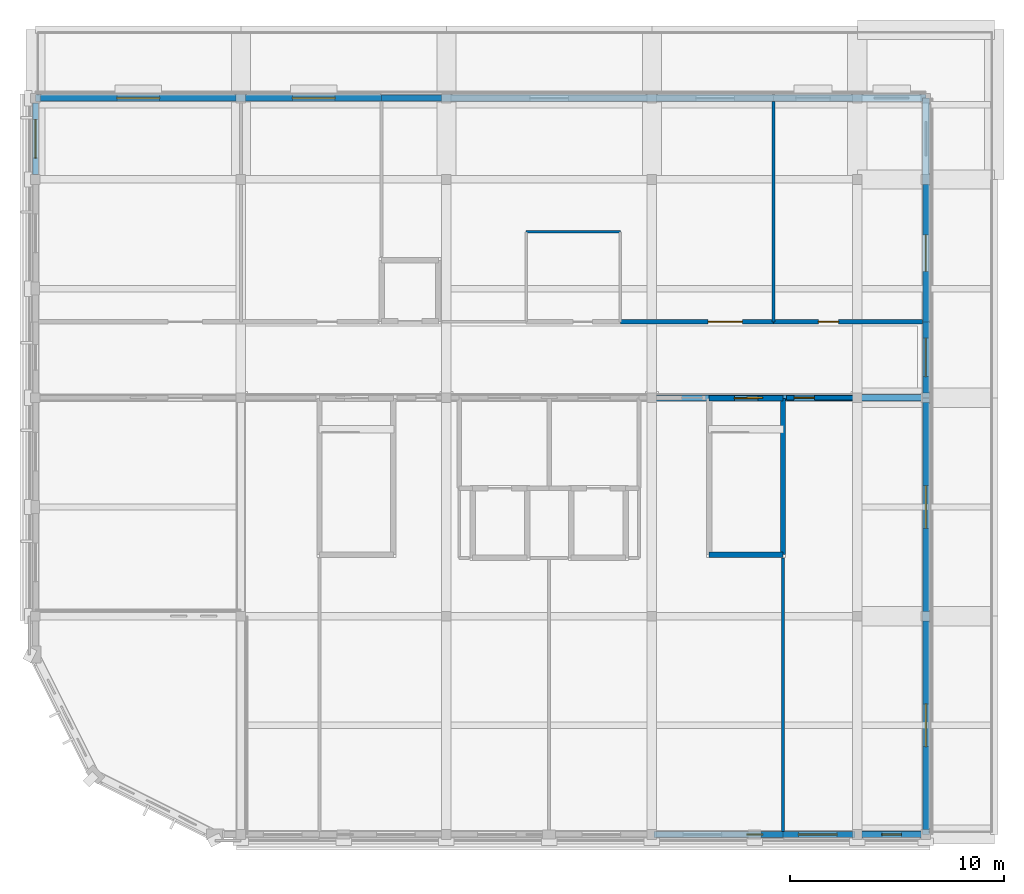
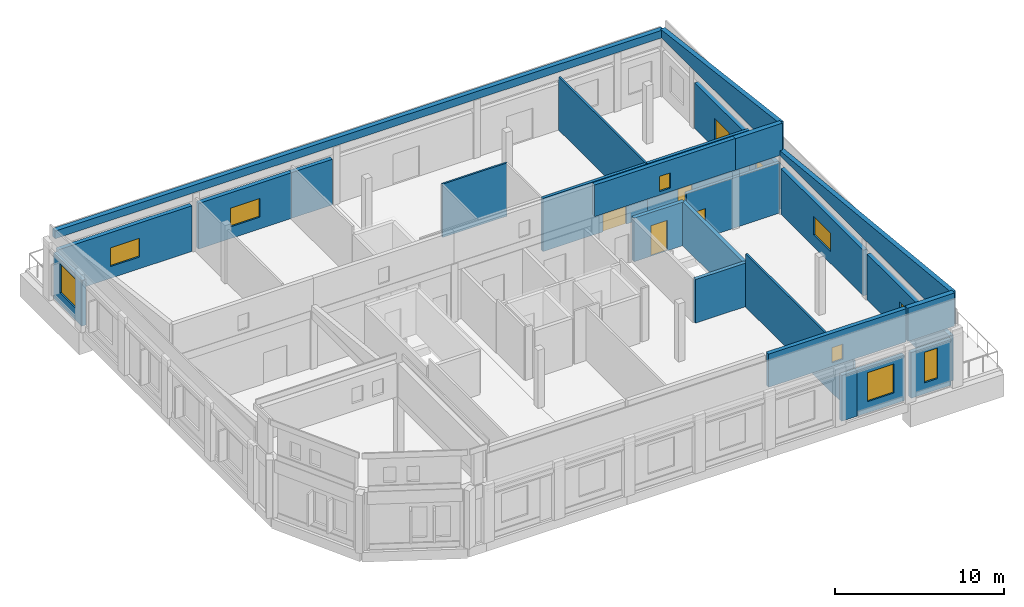
# One storey, part 5 of 8: 27 walls, 9 windows, 6 doors, 15 openings.
"""IFC4 building model written with IfcOpenShell, lengths in metres."""

from ifc_helpers import new_model, si_unit, direction, frame, frame_2d, origin, place, context, subcontext, project, spatial, polyline, rectangle, outline, extrude, material, layer, layer_set, type_object, element, fill, save


model = new_model("IFC4")

# Units and contexts
model_context = context("Model", 3, precision=1e-05, world=origin(), true_north=direction((0.0, 1.0)))
body_context = subcontext(model_context, "Body", "Model", "MODEL_VIEW")
ifc_project = project(units=[si_unit("LENGTHUNIT", "METRE"), si_unit("AREAUNIT", "SQUARE_METRE"), si_unit("VOLUMEUNIT", "CUBIC_METRE"), si_unit("PLANEANGLEUNIT", "RADIAN"), si_unit("MASSUNIT", "GRAM", prefix="KILO")], contexts=[model_context])

# Site, building, storey
site_placement = place(None, origin())
site = spatial("IfcSite", under=ifc_project, at=site_placement, CompositionType="ELEMENT")
building_placement = place(site_placement, origin())
building = spatial("IfcBuilding", under=site, at=building_placement, Name="Vondelvale Polytechnic", CompositionType="ELEMENT")
storey_placement = place(building_placement, frame((0.0, 0.0, 30.60009765625)))
storey = spatial("IfcBuildingStorey", under=building, at=storey_placement, Name="L07", CompositionType="ELEMENT", Elevation=30.60009765625)

# Wall
ifc_material_1 = material(Name="Amsterdam School iron-spot clinker clay brickwork", Category="masonry")
ifc_layer_1 = layer(ifc_material_1, 0.280029296875)
ifc_layer_set_1 = layer_set([ifc_layer_1], Name="WL-BRICK-280")
wall_type_1 = type_object("IfcWallType", Name="WL-BRICK-280", PredefinedType="SOLIDWALL", material=ifc_layer_set_1)
wall_1_placement = place(storey_placement, frame((34.925048828125, 0.0, 0.0), z_axis=(0.0, 0.0, 1.0), x_axis=(-1.0, 0.0, 0.0)))
element("IfcWall", 1, at=wall_1_placement, inside=storey, type_object=wall_type_1, Name="L07 exterior masonry facade wall", PredefinedType="SOLIDWALL", context=body_context, shape_type="SweptSolid", body=[
    extrude(rectangle(XDim=1.024169921875, YDim=0.280029296875, at=frame_2d((0.51220703125, 0.0))), origin(), (0.0, 0.0, 1.0), 3.2998046875),
])

# Wall, opening, window
wall_2_placement = place(storey_placement, frame((38.174072265625, 0.0, 0.0), z_axis=(0.0, 0.0, 1.0), x_axis=(-1.0, 0.0, 0.0)))
wall_2 = element("IfcWall", 2, at=wall_2_placement, inside=storey, type_object=wall_type_1, Name="L07 exterior masonry facade wall", PredefinedType="SOLIDWALL", context=body_context, shape_type="SweptSolid", body=[
    extrude(rectangle(XDim=3.2490234375, YDim=0.280029296875, at=frame_2d((1.62451171875, 0.0))), origin(), (0.0, 0.0, 1.0), 3.2998046875),
])
opening_1_placement = place(wall_2_placement, frame((0.724609375, 0.0, 0.800048828125)))
opening_1 = element("IfcOpeningElement", 3, at=opening_1_placement, cuts=wall_2, Name="Opening WN-0299", PredefinedType="OPENING", context=body_context, shape_type="SweptSolid", body=[
    extrude(rectangle(XDim=1.800048828125, YDim=2.10009765625, at=frame_2d((0.89990234375, 1.050048828125))), frame((0.0, 0.14990234375, 0.0), z_axis=(0.0, -1.0, 0.0), x_axis=(1.0, 0.0, 0.0)), (0.0, 0.0, 1.0), 0.300048828125),
])
ifc_material_2 = material(Name="Double-glazed low-E insulated architectural glass", Category="glass")
window_type_1 = type_object("IfcWindowType", Name="WN-LAB-1800x2100", PartitioningType="SINGLE_PANEL", PredefinedType="WINDOW", material=ifc_material_2)
window_1_placement = place(opening_1_placement, origin())
window_1 = element("IfcWindow", 4, at=window_1_placement, inside=storey, type_object=window_type_1, Name="L07 double-glazed architectural window WN-0299", OverallHeight=2.10009765625, OverallWidth=1.800048828125, PartitioningType="SINGLE_PANEL", PredefinedType="WINDOW", context=body_context, shape_type="SweptSolid", body=[
    extrude(rectangle(XDim=1.800048828125, YDim=2.10009765625, at=frame_2d((0.89990234375, 1.050048828125))), frame((0.0, 0.030029296875, 0.0), z_axis=(0.0, -1.0, 0.0), x_axis=(1.0, 0.0, 0.0)), (0.0, 0.0, 1.0), 0.06005859375),
])
fill(opening_1, window_1)

wall_3_placement = place(storey_placement, frame((41.3740234375, 0.0, 0.0), z_axis=(0.0, 0.0, 1.0), x_axis=(-1.0, 0.0, 0.0)))
wall_3 = element("IfcWall", 5, at=wall_3_placement, inside=storey, type_object=wall_type_1, Name="L07 exterior masonry facade wall", PredefinedType="SOLIDWALL", context=body_context, shape_type="SweptSolid", body=[
    extrude(rectangle(XDim=2.748046875, YDim=0.280029296875, at=frame_2d((1.3740234375, 0.0))), origin(), (0.0, 0.0, 1.0), 3.2998046875),
])
opening_2_placement = place(wall_3_placement, frame((0.924072265625, 0.0, 0.800048828125)))
opening_2 = element("IfcOpeningElement", 6, at=opening_2_placement, cuts=wall_3, Name="Opening WN-0300", PredefinedType="OPENING", context=body_context, shape_type="SweptSolid", body=[
    extrude(rectangle(XDim=0.89990234375, YDim=2.199951171875, at=frame_2d((0.449951171875, 1.10009765625))), frame((0.0, 0.14990234375, 0.0), z_axis=(0.0, -1.0, 0.0), x_axis=(1.0, 0.0, 0.0)), (0.0, 0.0, 1.0), 0.300048828125),
])
window_type_2 = type_object("IfcWindowType", Name="WN-TUR-0900x2200", PartitioningType="SINGLE_PANEL", PredefinedType="WINDOW", material=ifc_material_2)
window_2_placement = place(opening_2_placement, origin())
window_2 = element("IfcWindow", 7, at=window_2_placement, inside=storey, type_object=window_type_2, Name="L07 double-glazed architectural window WN-0300", OverallHeight=2.199951171875, OverallWidth=0.89990234375, PartitioningType="SINGLE_PANEL", PredefinedType="WINDOW", context=body_context, shape_type="SweptSolid", body=[
    extrude(rectangle(XDim=0.89990234375, YDim=2.199951171875, at=frame_2d((0.449951171875, 1.10009765625))), frame((0.0, 0.030029296875, 0.0), z_axis=(0.0, -1.0, 0.0), x_axis=(1.0, 0.0, 0.0)), (0.0, 0.0, 1.0), 0.06005859375),
])
fill(opening_2, window_2)

wall_4_placement = place(storey_placement, frame((0.0, 30.825927734375, 0.0), z_axis=(0.0, 0.0, 1.0), x_axis=(0.0, 1.0, 0.0)))
wall_4 = element("IfcWall", 8, at=wall_4_placement, inside=storey, type_object=wall_type_1, Name="L07 exterior masonry facade wall", PredefinedType="SOLIDWALL", context=body_context, shape_type="SweptSolid", body=[
    extrude(rectangle(XDim=3.34814453125, YDim=0.280029296875, at=frame_2d((1.674072265625, 0.0))), origin(), (0.0, 0.0, 1.0), 3.2998046875),
])
opening_3_placement = place(wall_4_placement, frame((0.77392578125, 0.0, 0.85009765625)))
opening_3 = element("IfcOpeningElement", 9, at=opening_3_placement, cuts=wall_4, Name="Opening WN-0305", PredefinedType="OPENING", context=body_context, shape_type="SweptSolid", body=[
    extrude(rectangle(XDim=1.800048828125, YDim=2.10009765625, at=frame_2d((0.89990234375, 1.050048828125))), frame((0.0, 0.14990234375, 0.0), z_axis=(0.0, -1.0, 0.0), x_axis=(1.0, 0.0, 0.0)), (0.0, 0.0, 1.0), 0.300048828125),
])
window_3_placement = place(opening_3_placement, origin())
window_3 = element("IfcWindow", 10, at=window_3_placement, inside=storey, type_object=window_type_1, Name="L07 double-glazed architectural window WN-0305", OverallHeight=2.10009765625, OverallWidth=1.800048828125, PartitioningType="SINGLE_PANEL", PredefinedType="WINDOW", context=body_context, shape_type="SweptSolid", body=[
    extrude(rectangle(XDim=1.800048828125, YDim=2.10009765625, at=frame_2d((0.89990234375, 1.050048828125))), frame((0.0, 0.030029296875, 0.0), z_axis=(0.0, -1.0, 0.0), x_axis=(1.0, 0.0, 0.0)), (0.0, 0.0, 1.0), 0.06005859375),
])
fill(opening_3, window_3)

wall_5_placement = place(storey_placement, frame((41.60009765625, 9.97412109375, 0.0), z_axis=(0.0, 0.0, 1.0), x_axis=(0.0, -1.0, 0.0)))
wall_5 = element("IfcWall", 11, at=wall_5_placement, inside=storey, type_object=wall_type_1, Name="L07 exterior masonry facade wall", PredefinedType="SOLIDWALL", context=body_context, shape_type="SweptSolid", body=[
    extrude(rectangle(XDim=9.748046875, YDim=0.280029296875, at=frame_2d((4.8740234375, 0.0))), origin(), (0.0, 0.0, 1.0), 3.2998046875),
])
opening_4_placement = place(wall_5_placement, frame((3.8740234375, 0.0, 0.85009765625)))
opening_4 = element("IfcOpeningElement", 12, at=opening_4_placement, cuts=wall_5, Name="Opening WN-0306", PredefinedType="OPENING", context=body_context, shape_type="SweptSolid", body=[
    extrude(rectangle(XDim=2.0, YDim=1.35009765625, at=frame_2d((1.0, 0.675048828125))), frame((0.0, 0.14990234375, 0.0), z_axis=(0.0, -1.0, 0.0), x_axis=(1.0, 0.0, 0.0)), (0.0, 0.0, 1.0), 0.300048828125),
])
window_type_3 = type_object("IfcWindowType", Name="WN-RIB-2000x1350", PartitioningType="SINGLE_PANEL", PredefinedType="WINDOW", material=ifc_material_2)
window_4_placement = place(opening_4_placement, origin())
window_4 = element("IfcWindow", 13, at=window_4_placement, inside=storey, type_object=window_type_3, Name="L07 double-glazed architectural window WN-0306", OverallHeight=1.35009765625, OverallWidth=2.0, PartitioningType="SINGLE_PANEL", PredefinedType="WINDOW", context=body_context, shape_type="SweptSolid", body=[
    extrude(rectangle(XDim=2.0, YDim=1.35009765625, at=frame_2d((1.0, 0.675048828125))), frame((0.0, 0.030029296875, 0.0), z_axis=(0.0, -1.0, 0.0), x_axis=(1.0, 0.0, 0.0)), (0.0, 0.0, 1.0), 0.06005859375),
])
fill(opening_4, window_4)

wall_6_placement = place(storey_placement, frame((41.60009765625, 20.174072265625, 0.0), z_axis=(0.0, 0.0, 1.0), x_axis=(0.0, -1.0, 0.0)))
wall_6 = element("IfcWall", 14, at=wall_6_placement, inside=storey, type_object=wall_type_1, Name="L07 exterior masonry facade wall", PredefinedType="SOLIDWALL", context=body_context, shape_type="SweptSolid", body=[
    extrude(rectangle(XDim=9.748046875, YDim=0.280029296875, at=frame_2d((4.8740234375, 0.0))), origin(), (0.0, 0.0, 1.0), 3.2998046875),
])
opening_5_placement = place(wall_6_placement, frame((3.8740234375, 0.0, 0.85009765625)))
opening_5 = element("IfcOpeningElement", 15, at=opening_5_placement, cuts=wall_6, Name="Opening WN-0307", PredefinedType="OPENING", context=body_context, shape_type="SweptSolid", body=[
    extrude(rectangle(XDim=2.0, YDim=1.35009765625, at=frame_2d((1.0, 0.675048828125))), frame((0.0, 0.14990234375, 0.0), z_axis=(0.0, -1.0, 0.0), x_axis=(1.0, 0.0, 0.0)), (0.0, 0.0, 1.0), 0.300048828125),
])
window_5_placement = place(opening_5_placement, origin())
window_5 = element("IfcWindow", 16, at=window_5_placement, inside=storey, type_object=window_type_3, Name="L07 double-glazed architectural window WN-0307", OverallHeight=1.35009765625, OverallWidth=2.0, PartitioningType="SINGLE_PANEL", PredefinedType="WINDOW", context=body_context, shape_type="SweptSolid", body=[
    extrude(rectangle(XDim=2.0, YDim=1.35009765625, at=frame_2d((1.0, 0.675048828125))), frame((0.0, 0.030029296875, 0.0), z_axis=(0.0, -1.0, 0.0), x_axis=(1.0, 0.0, 0.0)), (0.0, 0.0, 1.0), 0.06005859375),
])
fill(opening_5, window_5)

# Wall, opening, door
wall_7_placement = place(storey_placement, frame((41.60009765625, 23.949951171875, 0.0), z_axis=(0.0, 0.0, 1.0), x_axis=(0.0, -1.0, 0.0)))
wall_7 = element("IfcWall", 17, at=wall_7_placement, inside=storey, type_object=wall_type_1, Name="L07 exterior masonry facade wall", PredefinedType="SOLIDWALL", context=body_context, shape_type="SweptSolid", body=[
    extrude(rectangle(XDim=3.323974609375, YDim=0.280029296875, at=frame_2d((1.662109375, 0.0))), origin(), (0.0, 0.0, 1.0), 3.2998046875),
])
opening_6_placement = place(wall_7_placement, frame((0.761962890625, 0.0, 0.0)))
opening_6 = element("IfcOpeningElement", 18, at=opening_6_placement, cuts=wall_7, Name="Opening ED-016", PredefinedType="OPENING", context=body_context, shape_type="SweptSolid", body=[
    extrude(rectangle(XDim=1.800048828125, YDim=2.199951171875, at=frame_2d((0.89990234375, 1.10009765625))), frame((0.0, 0.14990234375, 0.0), z_axis=(0.0, -1.0, 0.0), x_axis=(1.0, 0.0, 0.0)), (0.0, 0.0, 1.0), 0.300048828125),
])
ifc_material_3 = material(Name="Anodised extruded aluminium 6063-T6", Category="aluminium")
door_type_1 = type_object("IfcDoorType", Name="DR-TER-1800x2200", OperationType="DOUBLE_DOOR_SINGLE_SWING", PredefinedType="DOOR", material=ifc_material_3)
door_1_placement = place(opening_6_placement, origin())
door_1 = element("IfcDoor", 19, at=door_1_placement, inside=storey, type_object=door_type_1, Name="L07 exterior entrance/exit door ED-016", OperationType="DOUBLE_DOOR_SINGLE_SWING", OverallHeight=2.199951171875, OverallWidth=1.800048828125, PredefinedType="DOOR", context=body_context, shape_type="SweptSolid", body=[
    extrude(rectangle(XDim=1.800048828125, YDim=2.199951171875, at=frame_2d((0.89990234375, 1.10009765625))), frame((0.0, 0.02490234375, 0.0), z_axis=(0.0, -1.0, 0.0), x_axis=(1.0, 0.0, 0.0)), (0.0, 0.0, 1.0), 0.050048828125),
])
fill(opening_6, door_1)

wall_8_placement = place(storey_placement, frame((41.60009765625, 30.3740234375, 0.0), z_axis=(0.0, 0.0, 1.0), x_axis=(0.0, -1.0, 0.0)))
wall_8 = element("IfcWall", 20, at=wall_8_placement, inside=storey, type_object=wall_type_1, Name="L07 exterior masonry facade wall", PredefinedType="SOLIDWALL", context=body_context, shape_type="SweptSolid", body=[
    extrude(rectangle(XDim=6.424072265625, YDim=0.280029296875, at=frame_2d((3.2119140625, 0.0))), origin(), (0.0, 0.0, 1.0), 3.2998046875),
])
opening_7_placement = place(wall_8_placement, frame((2.362060546875, 0.0, 0.0)))
opening_7 = element("IfcOpeningElement", 21, at=opening_7_placement, cuts=wall_8, Name="Opening ED-017", PredefinedType="OPENING", context=body_context, shape_type="SweptSolid", body=[
    extrude(rectangle(XDim=1.699951171875, YDim=2.14990234375, at=frame_2d((0.85009765625, 1.074951171875))), frame((0.0, 0.14990234375, 0.0), z_axis=(0.0, -1.0, 0.0), x_axis=(1.0, 0.0, 0.0)), (0.0, 0.0, 1.0), 0.300048828125),
])
door_type_2 = type_object("IfcDoorType", Name="DR-TER-1700x2150", OperationType="DOUBLE_DOOR_SINGLE_SWING", PredefinedType="DOOR", material=ifc_material_3)
door_2_placement = place(opening_7_placement, origin())
door_2 = element("IfcDoor", 22, at=door_2_placement, inside=storey, type_object=door_type_2, Name="L07 exterior entrance/exit door ED-017", OperationType="DOUBLE_DOOR_SINGLE_SWING", OverallHeight=2.14990234375, OverallWidth=1.699951171875, PredefinedType="DOOR", context=body_context, shape_type="SweptSolid", body=[
    extrude(rectangle(XDim=1.699951171875, YDim=2.14990234375, at=frame_2d((0.85009765625, 1.074951171875))), frame((0.0, 0.02490234375, 0.0), z_axis=(0.0, -1.0, 0.0), x_axis=(1.0, 0.0, 0.0)), (0.0, 0.0, 1.0), 0.050048828125),
])
fill(opening_7, door_2)

# Wall, opening, window
wall_9_placement = place(storey_placement, frame((0.22607421875, 34.39990234375, 0.0), z_axis=(0.0, 0.0, 1.0), x_axis=(1.0, 0.0, 0.0)))
wall_9 = element("IfcWall", 23, at=wall_9_placement, inside=storey, type_object=wall_type_1, Name="L07 exterior masonry facade wall", PredefinedType="SOLIDWALL", context=body_context, shape_type="SweptSolid", body=[
    extrude(rectangle(XDim=9.14794921875, YDim=0.280029296875, at=frame_2d((4.573974609375, 0.0))), origin(), (0.0, 0.0, 1.0), 3.2998046875),
])
opening_8_placement = place(wall_9_placement, frame((3.573974609375, 0.0, 0.85009765625)))
opening_8 = element("IfcOpeningElement", 24, at=opening_8_placement, cuts=wall_9, Name="Opening WN-0309", PredefinedType="OPENING", context=body_context, shape_type="SweptSolid", body=[
    extrude(rectangle(XDim=2.0, YDim=1.35009765625, at=frame_2d((1.0, 0.675048828125))), frame((0.0, 0.14990234375, 0.0), z_axis=(0.0, -1.0, 0.0), x_axis=(1.0, 0.0, 0.0)), (0.0, 0.0, 1.0), 0.300048828125),
])
window_6_placement = place(opening_8_placement, origin())
window_6 = element("IfcWindow", 25, at=window_6_placement, inside=storey, type_object=window_type_3, Name="L07 double-glazed architectural window WN-0309", OverallHeight=1.35009765625, OverallWidth=2.0, PartitioningType="SINGLE_PANEL", PredefinedType="WINDOW", context=body_context, shape_type="SweptSolid", body=[
    extrude(rectangle(XDim=2.0, YDim=1.35009765625, at=frame_2d((1.0, 0.675048828125))), frame((0.0, 0.030029296875, 0.0), z_axis=(0.0, -1.0, 0.0), x_axis=(1.0, 0.0, 0.0)), (0.0, 0.0, 1.0), 0.06005859375),
])
fill(opening_8, window_6)

wall_10_placement = place(storey_placement, frame((9.825927734375, 34.39990234375, 0.0), z_axis=(0.0, 0.0, 1.0), x_axis=(1.0, 0.0, 0.0)))
wall_10 = element("IfcWall", 26, at=wall_10_placement, inside=storey, type_object=wall_type_1, Name="L07 exterior masonry facade wall", PredefinedType="SOLIDWALL", context=body_context, shape_type="SweptSolid", body=[
    extrude(rectangle(XDim=6.34912109375, YDim=0.280029296875, at=frame_2d((3.174560546875, 0.0))), origin(), (0.0, 0.0, 1.0), 3.2998046875),
])
opening_9_placement = place(wall_10_placement, frame((2.174560546875, 0.0, 0.85009765625)))
opening_9 = element("IfcOpeningElement", 27, at=opening_9_placement, cuts=wall_10, Name="Opening WN-0310", PredefinedType="OPENING", context=body_context, shape_type="SweptSolid", body=[
    extrude(rectangle(XDim=2.0, YDim=1.35009765625, at=frame_2d((1.0, 0.675048828125))), frame((0.0, 0.14990234375, 0.0), z_axis=(0.0, -1.0, 0.0), x_axis=(1.0, 0.0, 0.0)), (0.0, 0.0, 1.0), 0.300048828125),
])
window_7_placement = place(opening_9_placement, origin())
window_7 = element("IfcWindow", 28, at=window_7_placement, inside=storey, type_object=window_type_3, Name="L07 double-glazed architectural window WN-0310", OverallHeight=1.35009765625, OverallWidth=2.0, PartitioningType="SINGLE_PANEL", PredefinedType="WINDOW", context=body_context, shape_type="SweptSolid", body=[
    extrude(rectangle(XDim=2.0, YDim=1.35009765625, at=frame_2d((1.0, 0.675048828125))), frame((0.0, 0.030029296875, 0.0), z_axis=(0.0, -1.0, 0.0), x_axis=(1.0, 0.0, 0.0)), (0.0, 0.0, 1.0), 0.06005859375),
])
fill(opening_9, window_7)

# Wall
wall_11_placement = place(storey_placement, frame((16.175048828125, 34.39990234375, 0.0), z_axis=(0.0, 0.0, 1.0), x_axis=(1.0, 0.0, 0.0)))
element("IfcWall", 29, at=wall_11_placement, inside=storey, type_object=wall_type_1, Name="L07 exterior masonry facade wall", PredefinedType="SOLIDWALL", context=body_context, shape_type="SweptSolid", body=[
    extrude(rectangle(XDim=2.799072265625, YDim=0.280029296875, at=frame_2d((1.3994140625, 0.0))), origin(), (0.0, 0.0, 1.0), 3.2998046875),
])

# Wall, opening, window
wall_12_placement = place(storey_placement, frame((38.299072265625, 0.0, 4.199951171875), z_axis=(0.0, 0.0, 1.0), x_axis=(-1.0, 0.0, 0.0)))
wall_12 = element("IfcWall", 30, at=wall_12_placement, inside=storey, type_object=wall_type_1, Name="L07 exterior masonry facade wall", PredefinedType="SOLIDWALL", context=body_context, shape_type="SweptSolid", body=[
    extrude(rectangle(XDim=9.398193359375, YDim=0.280029296875, at=frame_2d((4.69921875, 0.0))), origin(), (0.0, 0.0, 1.0), 2.396484375),
])
opening_10_placement = place(wall_12_placement, frame((4.323974609375, 0.0, 0.25)))
opening_10 = element("IfcOpeningElement", 31, at=opening_10_placement, cuts=wall_12, Name="Opening WN-0321", PredefinedType="OPENING", context=body_context, shape_type="SweptSolid", body=[
    extrude(rectangle(XDim=0.75, YDim=1.10009765625, at=frame_2d((0.375, 0.550048828125))), frame((0.0, 0.14990234375, 0.0), z_axis=(0.0, -1.0, 0.0), x_axis=(1.0, 0.0, 0.0)), (0.0, 0.0, 1.0), 0.300048828125),
])
window_type_4 = type_object("IfcWindowType", Name="WN-WC-0750x1100", PartitioningType="SINGLE_PANEL", PredefinedType="WINDOW", material=ifc_material_2)
window_8_placement = place(opening_10_placement, origin())
window_8 = element("IfcWindow", 32, at=window_8_placement, inside=storey, type_object=window_type_4, Name="L07 double-glazed architectural window WN-0321", OverallHeight=1.10009765625, OverallWidth=0.75, PartitioningType="SINGLE_PANEL", PredefinedType="WINDOW", context=body_context, shape_type="SweptSolid", body=[
    extrude(rectangle(XDim=0.75, YDim=1.10009765625, at=frame_2d((0.375, 0.550048828125))), frame((0.0, 0.030029296875, 0.0), z_axis=(0.0, -1.0, 0.0), x_axis=(1.0, 0.0, 0.0)), (0.0, 0.0, 1.0), 0.06005859375),
])
fill(opening_10, window_8)

wall_13_placement = place(storey_placement, frame((38.39990234375, 20.39990234375, 4.199951171875), z_axis=(0.0, 0.0, 1.0), x_axis=(-1.0, 0.0, 0.0)))
wall_13 = element("IfcWall", 33, at=wall_13_placement, inside=storey, type_object=wall_type_1, Name="L07 exterior masonry facade wall", PredefinedType="SOLIDWALL", context=body_context, shape_type="SweptSolid", body=[
    extrude(rectangle(XDim=9.599853515625, YDim=0.280029296875, at=frame_2d((4.7998046875, 0.0))), origin(), (0.0, 0.0, 1.0), 2.278564453125),
])
opening_11_placement = place(wall_13_placement, frame((4.425048828125, 0.0, 0.25)))
opening_11 = element("IfcOpeningElement", 34, at=opening_11_placement, cuts=wall_13, Name="Opening WN-0325", PredefinedType="OPENING", context=body_context, shape_type="SweptSolid", body=[
    extrude(rectangle(XDim=0.75, YDim=1.10009765625, at=frame_2d((0.375, 0.550048828125))), frame((0.0, 0.14990234375, 0.0), z_axis=(0.0, -1.0, 0.0), x_axis=(1.0, 0.0, 0.0)), (0.0, 0.0, 1.0), 0.300048828125),
])
window_9_placement = place(opening_11_placement, origin())
window_9 = element("IfcWindow", 35, at=window_9_placement, inside=storey, type_object=window_type_4, Name="L07 double-glazed architectural window WN-0325", OverallHeight=1.10009765625, OverallWidth=0.75, PartitioningType="SINGLE_PANEL", PredefinedType="WINDOW", context=body_context, shape_type="SweptSolid", body=[
    extrude(rectangle(XDim=0.75, YDim=1.10009765625, at=frame_2d((0.375, 0.550048828125))), frame((0.0, 0.030029296875, 0.0), z_axis=(0.0, -1.0, 0.0), x_axis=(1.0, 0.0, 0.0)), (0.0, 0.0, 1.0), 0.06005859375),
])
fill(opening_11, window_9)

# Walls
ifc_layer_2 = layer(ifc_material_1, 0.320068359375)
ifc_layer_set_2 = layer_set([ifc_layer_2], Name="WL-BRICK-320")
wall_type_2 = type_object("IfcWallType", Name="WL-BRICK-320", PredefinedType="SOLIDWALL", material=ifc_layer_set_2)
wall_14_placement = place(storey_placement, frame((38.39990234375, 0.0, 4.199951171875), z_axis=(0.0, 0.0, 1.0), x_axis=(1.0, 0.0, 0.0)))
element("IfcWall", 36, at=wall_14_placement, inside=storey, type_object=wall_type_2, Name="Roof studio clerestory wall", PredefinedType="SOLIDWALL", context=body_context, shape_type="SweptSolid", body=[
    extrude(rectangle(XDim=3.2001953125, YDim=0.320068359375, at=frame_2d((1.60009765625, 0.0))), origin(), (0.0, 0.0, 1.0), 2.396484375),
])
wall_15_placement = place(storey_placement, frame((41.60009765625, 0.0, 4.199951171875), z_axis=(0.0, 0.0, 1.0), x_axis=(0.0, 1.0, 0.0)))
element("IfcWall", 37, at=wall_15_placement, inside=storey, type_object=wall_type_2, Name="Roof studio raking brick gable 1-E", PredefinedType="SOLIDWALL", context=body_context, shape_type="SweptSolid", body=[
    extrude(outline(polyline([(0.0, 0.0), (20.39990234375, 0.0), (20.39990234375, 0.328857421875), (0.0, 2.396484375), (0.0, 0.0)])), frame((0.0, 0.16015625, 0.0), z_axis=(0.0, -1.0, 0.0), x_axis=(1.0, 0.0, 0.0)), (0.0, 0.0, 1.0), 0.320068359375),
])
wall_16_placement = place(storey_placement, frame((38.39990234375, 20.39990234375, 4.199951171875), z_axis=(0.0, 0.0, 1.0), x_axis=(1.0, 0.0, 0.0)))
element("IfcWall", 38, at=wall_16_placement, inside=storey, type_object=wall_type_2, Name="Roof studio clerestory wall", PredefinedType="SOLIDWALL", context=body_context, shape_type="SweptSolid", body=[
    extrude(rectangle(XDim=3.2001953125, YDim=0.320068359375, at=frame_2d((1.60009765625, 0.0))), origin(), (0.0, 0.0, 1.0), 2.278564453125),
])
wall_17_placement = place(storey_placement, frame((0.0, 34.39990234375, 4.199951171875), z_axis=(0.0, 0.0, 1.0), x_axis=(1.0, 0.0, 0.0)))
element("IfcWall", 39, at=wall_17_placement, inside=storey, type_object=wall_type_2, Name="Roof North studio eave wall", PredefinedType="SOLIDWALL", context=body_context, shape_type="SweptSolid", body=[
    extrude(rectangle(XDim=41.60009765625, YDim=0.320068359375, at=frame_2d((20.800048828125, 0.0))), origin(), (0.0, 0.0, 1.0), 0.550537109375),
])
wall_18_placement = place(storey_placement, frame((41.60009765625, 20.39990234375, 4.199951171875), z_axis=(0.0, 0.0, 1.0), x_axis=(0.0, 1.0, 0.0)))
element("IfcWall", 40, at=wall_18_placement, inside=storey, type_object=wall_type_2, Name="Roof studio raking brick gable 2-E", PredefinedType="SOLIDWALL", context=body_context, shape_type="SweptSolid", body=[
    extrude(outline(polyline([(0.0, 0.0), (14.0, 0.0), (14.0, 0.550537109375), (0.0, 2.278564453125), (0.0, 0.0)])), frame((0.0, 0.16015625, 0.0), z_axis=(0.0, -1.0, 0.0), x_axis=(1.0, 0.0, 0.0)), (0.0, 0.0, 1.0), 0.320068359375),
])
ifc_material_4 = material(Name="Concrete N40 (f'c = 40 MPa)", Category="concrete")
ifc_layer_3 = layer(ifc_material_4, 0.25)
ifc_layer_set_3 = layer_set([ifc_layer_3], Name="WL-CORE-250")
wall_type_3 = type_object("IfcWallType", Name="WL-CORE-250", PredefinedType="SOLIDWALL", material=ifc_layer_set_3)
wall_19_placement = place(storey_placement, frame((31.47509765625, 13.074951171875, 0.0), z_axis=(0.0, 0.0, 1.0), x_axis=(1.0, 0.0, 0.0)))
element("IfcWall", 41, at=wall_19_placement, inside=storey, type_object=wall_type_3, Name="L07 ST-04 reinforced concrete stair core wall", PredefinedType="SOLIDWALL", context=body_context, shape_type="SweptSolid", body=[
    extrude(rectangle(XDim=3.449951171875, YDim=0.25, at=frame_2d((1.72509765625, 0.0))), origin(), (0.0, 0.0, 1.0), 3.14990234375),
])
wall_20_placement = place(storey_placement, frame((34.925048828125, 13.074951171875, 0.0), z_axis=(0.0, 0.0, 1.0), x_axis=(0.0, 1.0, 0.0)))
element("IfcWall", 42, at=wall_20_placement, inside=storey, type_object=wall_type_3, Name="L07 ST-04 reinforced concrete stair core wall", PredefinedType="SOLIDWALL", context=body_context, shape_type="SweptSolid", body=[
    extrude(rectangle(XDim=7.300048828125, YDim=0.25, at=frame_2d((3.64990234375, 0.0))), origin(), (0.0, 0.0, 1.0), 3.14990234375),
])

# Wall, opening, door
wall_21_placement = place(storey_placement, frame((34.925048828125, 20.375, 0.0), z_axis=(0.0, 0.0, 1.0), x_axis=(-1.0, 0.0, 0.0)))
wall_21 = element("IfcWall", 43, at=wall_21_placement, inside=storey, type_object=wall_type_3, Name="L07 ST-04 reinforced concrete stair core wall", PredefinedType="SOLIDWALL", context=body_context, shape_type="SweptSolid", body=[
    extrude(rectangle(XDim=3.449951171875, YDim=0.25, at=frame_2d((1.72509765625, 0.0))), origin(), (0.0, 0.0, 1.0), 3.14990234375),
])
opening_12_placement = place(wall_21_placement, frame((1.175048828125, 0.0, 0.0)))
opening_12 = element("IfcOpeningElement", 44, at=opening_12_placement, cuts=wall_21, Name="Opening SD-026", PredefinedType="OPENING", context=body_context, shape_type="SweptSolid", body=[
    extrude(rectangle(XDim=1.10009765625, YDim=2.199951171875, at=frame_2d((0.550048828125, 1.10009765625))), frame((0.0, 0.135009765625, 0.0), z_axis=(0.0, -1.0, 0.0), x_axis=(1.0, 0.0, 0.0)), (0.0, 0.0, 1.0), 0.27001953125),
])
ifc_material_5 = material(Name="Brushed architectural stainless and zinc-coated metal")
door_type_3 = type_object("IfcDoorType", Name="DR-STAIR-1100x2200", OperationType="SINGLE_SWING_LEFT", PredefinedType="DOOR", material=ifc_material_5)
door_3_placement = place(opening_12_placement, origin())
door_3 = element("IfcDoor", 45, at=door_3_placement, inside=storey, type_object=door_type_3, Name="L07 ST-04 fire-isolated stair door", OperationType="SINGLE_SWING_RIGHT", OverallHeight=2.199951171875, OverallWidth=1.10009765625, PredefinedType="DOOR", context=body_context, shape_type="SweptSolid", body=[
    extrude(rectangle(XDim=1.10009765625, YDim=2.199951171875, at=frame_2d((0.550048828125, 1.10009765625))), frame((0.0, 0.02490234375, 0.0), z_axis=(0.0, -1.0, 0.0), x_axis=(1.0, 0.0, 0.0)), (0.0, 0.0, 1.0), 0.050048828125),
])
fill(opening_12, door_3)

ifc_material_6 = material(Name="Fire-rated double-layer plasterboard stud partition")
ifc_layer_4 = layer(ifc_material_6, 0.199951171875)
ifc_layer_set_4 = layer_set([ifc_layer_4], Name="WL-CORR-200")
wall_type_4 = type_object("IfcWallType", Name="WL-CORR-200", PredefinedType="PARTITIONING", material=ifc_layer_set_4)
wall_22_placement = place(storey_placement, frame((35.090087890625, 20.39990234375, 0.0), z_axis=(0.0, 0.0, 1.0), x_axis=(1.0, 0.0, 0.0)))
wall_22 = element("IfcWall", 46, at=wall_22_placement, inside=storey, type_object=wall_type_4, Name="L07 interior acoustic partition", PredefinedType="PARTITIONING", context=body_context, shape_type="SweptSolid", body=[
    extrude(rectangle(XDim=6.35986328125, YDim=0.199951171875, at=frame_2d((3.179931640625, 0.0))), origin(), (0.0, 0.0, 1.0), 3.6298828125),
])
opening_13_placement = place(wall_22_placement, frame((0.35498046875, 0.0, 0.0)))
opening_13 = element("IfcOpeningElement", 47, at=opening_13_placement, cuts=wall_22, Name="Opening ID-0207", PredefinedType="OPENING", context=body_context, shape_type="SweptSolid", body=[
    extrude(rectangle(XDim=0.949951171875, YDim=2.10009765625, at=frame_2d((0.47509765625, 1.050048828125))), frame((0.0, 0.10986328125, 0.0), z_axis=(0.0, -1.0, 0.0), x_axis=(1.0, 0.0, 0.0)), (0.0, 0.0, 1.0), 0.219970703125),
])
ifc_material_7 = material(Name="Fire-rated solid Tasmanian oak joinery")
door_type_4 = type_object("IfcDoorType", Name="DR-INT-0950x2100", OperationType="SINGLE_SWING_LEFT", PredefinedType="DOOR", material=ifc_material_7)
door_4_placement = place(opening_13_placement, origin())
door_4 = element("IfcDoor", 48, at=door_4_placement, inside=storey, type_object=door_type_4, Name="L07 interior room door ID-0207", OperationType="SINGLE_SWING_LEFT", OverallHeight=2.10009765625, OverallWidth=0.949951171875, PredefinedType="DOOR", context=body_context, shape_type="SweptSolid", body=[
    extrude(rectangle(XDim=0.949951171875, YDim=2.10009765625, at=frame_2d((0.47509765625, 1.050048828125))), frame((0.0, 0.02490234375, 0.0), z_axis=(0.0, -1.0, 0.0), x_axis=(1.0, 0.0, 0.0)), (0.0, 0.0, 1.0), 0.050048828125),
])
fill(opening_13, door_4)

wall_23_placement = place(storey_placement, frame((27.324951171875, 23.949951171875, 0.0), z_axis=(0.0, 0.0, 1.0), x_axis=(1.0, 0.0, 0.0)))
wall_23 = element("IfcWall", 49, at=wall_23_placement, inside=storey, type_object=wall_type_4, Name="L07 interior acoustic partition", PredefinedType="PARTITIONING", context=body_context, shape_type="SweptSolid", body=[
    extrude(rectangle(XDim=7.150146484375, YDim=0.199951171875, at=frame_2d((3.5751953125, 0.0))), origin(), (0.0, 0.0, 1.0), 3.849853515625),
])
opening_14_placement = place(wall_23_placement, frame((4.10009765625, 0.0, 0.0)))
opening_14 = element("IfcOpeningElement", 50, at=opening_14_placement, cuts=wall_23, Name="Opening ID-0211", PredefinedType="OPENING", context=body_context, shape_type="SweptSolid", body=[
    extrude(rectangle(XDim=1.60009765625, YDim=2.25, at=frame_2d((0.800048828125, 1.125))), frame((0.0, 0.10986328125, 0.0), z_axis=(0.0, -1.0, 0.0), x_axis=(1.0, 0.0, 0.0)), (0.0, 0.0, 1.0), 0.219970703125),
])
door_type_5 = type_object("IfcDoorType", Name="DR-LAB-1600x2250", OperationType="DOUBLE_DOOR_SINGLE_SWING", PredefinedType="DOOR", material=ifc_material_7)
door_5_placement = place(opening_14_placement, origin())
door_5 = element("IfcDoor", 51, at=door_5_placement, inside=storey, type_object=door_type_5, Name="L07 interior room door ID-0211", OperationType="DOUBLE_DOOR_SINGLE_SWING", OverallHeight=2.25, OverallWidth=1.60009765625, PredefinedType="DOOR", context=body_context, shape_type="SweptSolid", body=[
    extrude(rectangle(XDim=1.60009765625, YDim=2.25, at=frame_2d((0.800048828125, 1.125))), frame((0.0, 0.02490234375, 0.0), z_axis=(0.0, -1.0, 0.0), x_axis=(1.0, 0.0, 0.0)), (0.0, 0.0, 1.0), 0.050048828125),
])
fill(opening_14, door_5)

wall_24_placement = place(storey_placement, frame((34.47509765625, 23.949951171875, 0.0), z_axis=(0.0, 0.0, 1.0), x_axis=(1.0, 0.0, 0.0)))
wall_24 = element("IfcWall", 52, at=wall_24_placement, inside=storey, type_object=wall_type_4, Name="L07 interior acoustic partition", PredefinedType="PARTITIONING", context=body_context, shape_type="SweptSolid", body=[
    extrude(rectangle(XDim=6.974853515625, YDim=0.199951171875, at=frame_2d((3.4873046875, 0.0))), origin(), (0.0, 0.0, 1.0), 3.849853515625),
])
opening_15_placement = place(wall_24_placement, frame((2.10009765625, 0.0, 0.0)))
opening_15 = element("IfcOpeningElement", 53, at=opening_15_placement, cuts=wall_24, Name="Opening ID-0212", PredefinedType="OPENING", context=body_context, shape_type="SweptSolid", body=[
    extrude(rectangle(XDim=0.949951171875, YDim=2.10009765625, at=frame_2d((0.47509765625, 1.050048828125))), frame((0.0, 0.10986328125, 0.0), z_axis=(0.0, -1.0, 0.0), x_axis=(1.0, 0.0, 0.0)), (0.0, 0.0, 1.0), 0.219970703125),
])
door_6_placement = place(opening_15_placement, origin())
door_6 = element("IfcDoor", 54, at=door_6_placement, inside=storey, type_object=door_type_4, Name="L07 interior room door ID-0212", OperationType="SINGLE_SWING_RIGHT", OverallHeight=2.10009765625, OverallWidth=0.949951171875, PredefinedType="DOOR", context=body_context, shape_type="SweptSolid", body=[
    extrude(rectangle(XDim=0.949951171875, YDim=2.10009765625, at=frame_2d((0.47509765625, 1.050048828125))), frame((0.0, 0.02490234375, 0.0), z_axis=(0.0, -1.0, 0.0), x_axis=(1.0, 0.0, 0.0)), (0.0, 0.0, 1.0), 0.050048828125),
])
fill(opening_15, door_6)

# Walls
ifc_layer_5 = layer(ifc_material_6, 0.1201171875)
ifc_layer_set_5 = layer_set([ifc_layer_5], Name="WL-INT-120")
wall_type_5 = type_object("IfcWallType", Name="WL-INT-120", PredefinedType="PARTITIONING", material=ifc_layer_set_5)
wall_25_placement = place(storey_placement, frame((22.925048828125, 28.14990234375, 0.0), z_axis=(0.0, 0.0, 1.0), x_axis=(1.0, 0.0, 0.0)))
element("IfcWall", 55, at=wall_25_placement, inside=storey, type_object=wall_type_5, Name="L07 interior acoustic partition", PredefinedType="PARTITIONING", context=body_context, shape_type="SweptSolid", body=[
    extrude(rectangle(XDim=4.39990234375, YDim=0.1201171875, at=frame_2d((2.199951171875, 0.0))), origin(), (0.0, 0.0, 1.0), 3.849853515625),
])
ifc_layer_6 = layer(ifc_material_6, 0.135009765625)
ifc_layer_set_6 = layer_set([ifc_layer_6], Name="WL-INT-135")
wall_type_6 = type_object("IfcWallType", Name="WL-INT-135", PredefinedType="PARTITIONING", material=ifc_layer_set_6)
wall_26_placement = place(storey_placement, frame((34.925048828125, 0.14990234375, 0.0), z_axis=(0.0, 0.0, 1.0), x_axis=(0.0, 1.0, 0.0)))
element("IfcWall", 56, at=wall_26_placement, inside=storey, type_object=wall_type_6, Name="L07 interior acoustic partition", PredefinedType="PARTITIONING", context=body_context, shape_type="SweptSolid", body=[
    extrude(rectangle(XDim=12.760009765625, YDim=0.135009765625, at=frame_2d((6.3798828125, 0.0))), origin(), (0.0, 0.0, 1.0), 3.849853515625),
])
wall_27_placement = place(storey_placement, frame((34.47509765625, 23.949951171875, 0.0), z_axis=(0.0, 0.0, 1.0), x_axis=(0.0, 1.0, 0.0)))
element("IfcWall", 57, at=wall_27_placement, inside=storey, type_object=wall_type_6, Name="L07 interior acoustic partition", PredefinedType="PARTITIONING", context=body_context, shape_type="SweptSolid", body=[
    extrude(rectangle(XDim=10.300048828125, YDim=0.135009765625, at=frame_2d((5.14990234375, 0.0))), origin(), (0.0, 0.0, 1.0), 3.849853515625),
])

save(model, "model.ifc")
